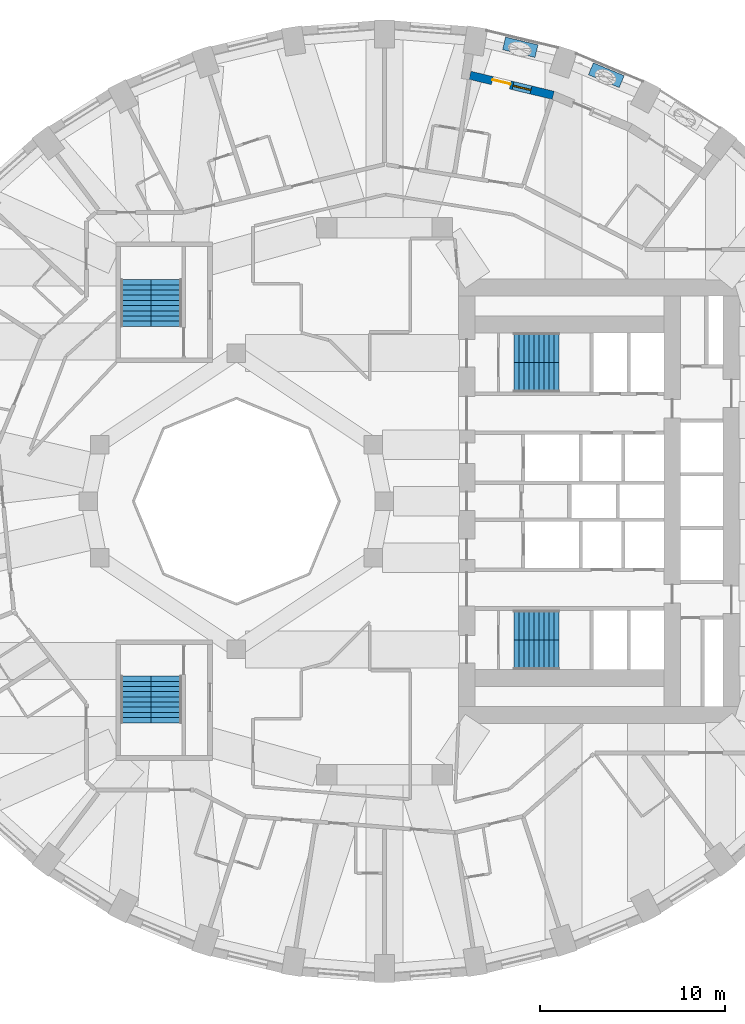
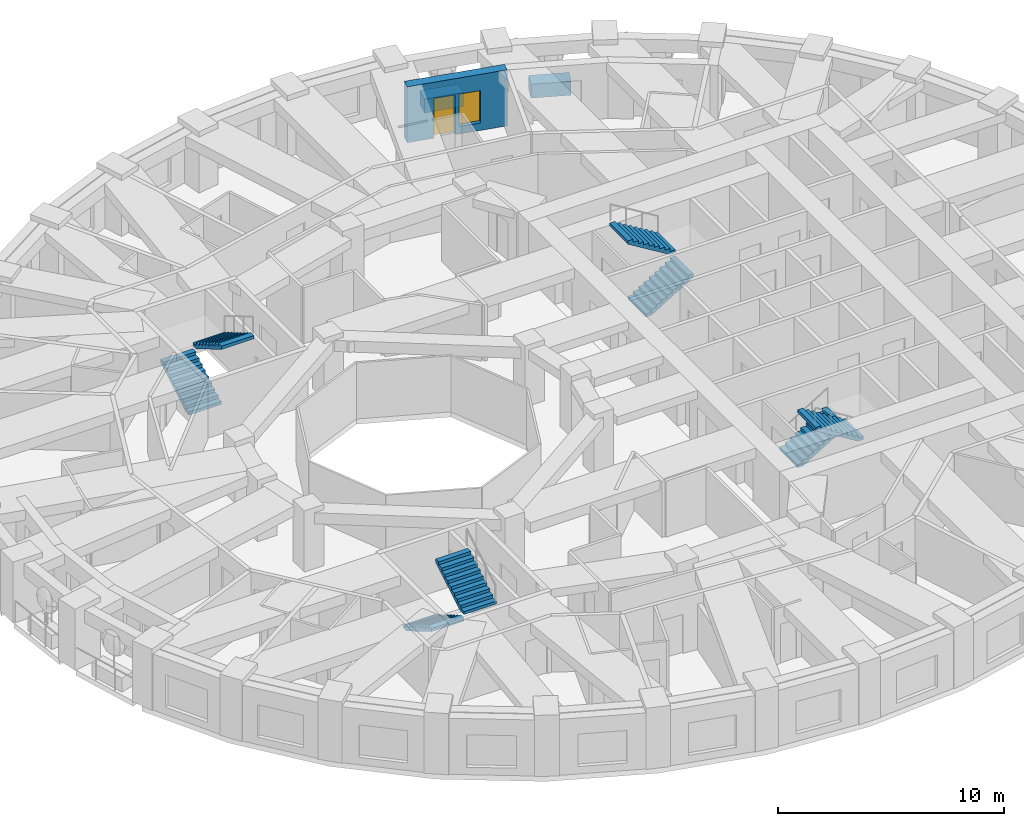
# One storey, part 10 of 13: 8 stair flights, 3 walls, 1 door, 1 window, 2 openings, 4 elements without a shape of their own.
"""IFC4 building model written with IfcOpenShell, lengths in metres."""

from ifc_helpers import new_model, si_unit, direction, frame, frame_2d, origin, place, context, subcontext, project, spatial, polyline, rectangle, outline, extrude, material, layer, layer_set, constituent, constituent_set, type_object, element, fill, aggregate, save


model = new_model("IFC4")

# Units and contexts
model_context = context("Model", 3, precision=1e-05, world=origin(), true_north=direction((0.0, 1.0)))
body_context = subcontext(model_context, "Body", "Model", "MODEL_VIEW")
ifc_project = project(units=[si_unit("LENGTHUNIT", "METRE"), si_unit("AREAUNIT", "SQUARE_METRE"), si_unit("VOLUMEUNIT", "CUBIC_METRE"), si_unit("PLANEANGLEUNIT", "RADIAN"), si_unit("MASSUNIT", "GRAM", prefix="KILO")], contexts=[model_context])

# Site, building, storey
site_placement = place(None, origin())
site = spatial("IfcSite", under=ifc_project, at=site_placement, CompositionType="ELEMENT")
building_placement = place(site_placement, origin())
building = spatial("IfcBuilding", under=site, at=building_placement, Name="Taillehof Tower", CompositionType="ELEMENT")
storey_placement = place(building_placement, frame((0.0, 0.0, 61.300048828125)))
storey = spatial("IfcBuildingStorey", under=building, at=storey_placement, Name="L16", CompositionType="ELEMENT", Elevation=61.300048828125)

# Wall, openings, door, window
ifc_material_1 = material(Name="Brick masonry", Category="masonry")
ifc_layer = layer(ifc_material_1, 0.449951171875)
ifc_layer_set = layer_set([ifc_layer], Name="Brick infill wall 450")
wall_type_1 = type_object("IfcWallType", Name="Brick infill wall 450", PredefinedType="SOLIDWALL", material=ifc_layer_set)
wall_placement = place(storey_placement, frame((9.12158203125, 21.931640625, 0.0), z_axis=(0.0, 0.0, 1.0), x_axis=(-0.972346547441, 0.233542697764, 0.0)))
wall = element("IfcWall", 1, at=wall_placement, inside=storey, type_object=wall_type_1, Name="Brick wall L16 pocket bay 8", PredefinedType="SOLIDWALL", context=body_context, shape_type="SweptSolid", body=[
    extrude(rectangle(XDim=4.623779296875, YDim=0.449951171875, at=frame_2d((2.31201171875, 0.0))), origin(), (0.0, 0.0, 1.0), 3.02001953125),
])
opening_1_placement = place(wall_placement, frame((1.23681640625, 0.0, 0.39990234375)))
opening_1 = element("IfcOpeningElement", 2, at=opening_1_placement, cuts=wall, Name="Opening W5", PredefinedType="OPENING", context=body_context, shape_type="SweptSolid", body=[
    extrude(rectangle(XDim=1.0, YDim=1.75, at=frame_2d((0.5, 0.875))), frame((0.0, 0.23486328125, 0.0), z_axis=(0.0, -1.0, 0.0), x_axis=(1.0, 0.0, 0.0)), (0.0, 0.0, 1.0), 0.469970703125),
])
opening_2_placement = place(wall_placement, frame((2.38671875, 0.0, 0.0)))
opening_2 = element("IfcOpeningElement", 3, at=opening_2_placement, cuts=wall, Name="Opening D1696", PredefinedType="OPENING", context=body_context, shape_type="SweptSolid", body=[
    extrude(rectangle(XDim=1.0, YDim=2.14990234375, at=frame_2d((0.5, 1.074951171875))), frame((0.0, 0.23486328125, 0.0), z_axis=(0.0, -1.0, 0.0), x_axis=(1.0, 0.0, 0.0)), (0.0, 0.0, 1.0), 0.469970703125),
])
ifc_material_2 = material(Name="Aluminium door frame with clear double glazing", Category="aluminium")
door_type = type_object("IfcDoorType", Name="Balcony door 1000x2150", OperationType="SINGLE_SWING_RIGHT", PredefinedType="DOOR", material=ifc_material_2)
door_placement = place(opening_2_placement, frame((1.0, 0.0, 0.0), z_axis=(0.0, 0.0, 1.0), x_axis=(-1.0, 0.0, 0.0)))
door = element("IfcDoor", 4, at=door_placement, inside=storey, type_object=door_type, Name="Balcony door L16 bay 8", OperationType="SINGLE_SWING_LEFT", OverallHeight=2.14990234375, OverallWidth=1.0, PredefinedType="DOOR", context=body_context, shape_type="SweptSolid", body=[
    extrude(rectangle(XDim=1.0, YDim=2.14990234375, at=frame_2d((0.5, 1.074951171875))), frame((0.0, 0.0751953125, 0.0), z_axis=(0.0, -1.0, 0.0), x_axis=(1.0, 0.0, 0.0)), (0.0, 0.0, 1.0), 0.050048828125),
])
fill(opening_2, door)
ifc_material_3 = material(Name="Aluminium window frame with clear double glazing", Category="aluminium")
window_type = type_object("IfcWindowType", Name="Fixed window 1000x1750", PartitioningType="SINGLE_PANEL", PredefinedType="WINDOW", material=ifc_material_3)
window_placement = place(opening_1_placement, origin())
window = element("IfcWindow", 5, at=window_placement, inside=storey, type_object=window_type, Name="W5", OverallHeight=1.75, OverallWidth=1.0, PartitioningType="SINGLE_PANEL", PredefinedType="WINDOW", context=body_context, shape_type="SweptSolid", body=[
    extrude(rectangle(XDim=1.0, YDim=1.75, at=frame_2d((0.5, 0.875))), frame((0.0, 0.034912109375, 0.0), z_axis=(0.0, -1.0, 0.0), x_axis=(1.0, 0.0, 0.0)), (0.0, 0.0, 1.0), 0.06005859375),
])
fill(opening_1, window)

# Walls
ifc_material_4 = material(Name="Concrete C30/37 precast", Category="concrete")
ifc_constituent_1 = constituent(ifc_material_4, Name="Structure", Category="concrete")
ifc_material_5 = material(Name="Insulated lining")
ifc_constituent_2 = constituent(ifc_material_5, Name="Lining")
ifc_constituent_set = constituent_set(constituents=[ifc_constituent_1, ifc_constituent_2], Name="Planter trough 700x750")
wall_type_2 = type_object("IfcWallType", Name="Planter trough 700x750", PredefinedType="USERDEFINED", material=ifc_constituent_set)
for number, where, z_axis, x_axis, name in (
    (6, (12.816650390625, 22.669677734375, 0.0), (0.0, 0.0, 1.0), (-0.923000660042, 0.384798364811, 0.0), "Planter L16 bay 7"),
    (7, (8.215087890625, 24.318115234375, 0.0), (0.0, 0.0, 1.0), (-0.972504142103, 0.232885580473, 0.0), "Planter L16 bay 8"),
):
    element("IfcWall", number, at=place(storey_placement, frame(where, z_axis=z_axis, x_axis=x_axis)), inside=storey, type_object=wall_type_2, Name=name, ObjectType="PLANTER", PredefinedType="USERDEFINED", context=body_context, shape_type="SweptSolid", body=[
        extrude(rectangle(XDim=1.800048828125, YDim=0.699951171875, at=frame_2d((0.89990234375, 0.0))), origin(), (0.0, 0.0, 1.0), 0.75),
    ])

# Stair, stair flights
ifc_material_6 = material(Name="Concrete C40/50", Category="concrete")
stair_type = type_object("IfcStairType", Name="Exit stair half-turn", PredefinedType="HALF_TURN_STAIR", material=ifc_material_6)
stair_1_placement = place(storey_placement, origin())
stair_1 = element("IfcStair", 8, at=stair_1_placement, inside=storey, type_object=stair_type, Name="Exit stair S1", PredefinedType="HALF_TURN_STAIR")
ifc_material_7 = material(Name="Concrete C40/50", Category="concrete")
stair_flight_type_1 = type_object("IfcStairFlightType", Name="Stair flight 1600 riser 165.0 going 270", PredefinedType="STRAIGHT", material=ifc_material_7)
stair_flight_1_placement = place(storey_placement, frame((7.0, 6.699951171875, 0.0), z_axis=(0.0, 0.0, 1.0), x_axis=(1.0, 0.0, 0.0)))
stair_flight_1 = element("IfcStairFlight", 9, at=stair_flight_1_placement, type_object=stair_flight_type_1, Name="S1 flight 1", NumberOfRisers=10, NumberOfTreads=9, PredefinedType="STRAIGHT", RiserHeight=0.165, TreadLength=0.27, context=body_context, shape_type="SweptSolid", body=[
    extrude(outline(polyline([(0.0, 0.0), (0.0, 0.00537109375), (0.0, 0.0107421875), (0.0, 0.015869140625), (0.0, 0.021240234375), (0.0, 0.026611328125), (0.0, 0.031982421875), (0.0, 0.037353515625), (0.0, 0.04248046875), (0.0, 0.0478515625), (0.0, 0.05322265625), (0.0, 0.05859375), (0.0, 0.06396484375), (0.0, 0.069091796875), (0.0, 0.074462890625), (0.0, 0.079833984375), (0.0, 0.085205078125), (0.0, 0.090576171875), (0.0, 0.095703125), (0.0, 0.10107421875), (0.0, 0.1064453125), (0.0, 0.11181640625), (0.0, 0.1171875), (0.0, 0.122314453125), (0.0, 0.127685546875), (0.0, 0.133056640625), (0.0, 0.138427734375), (0.0, 0.143798828125), (0.0, 0.14892578125), (0.0, 0.154296875), (0.0, 0.15966796875), (0.0, 0.1650390625), (0.27001953125, 0.1650390625), (0.27001953125, 0.330078125), (0.5400390625, 0.330078125), (0.5400390625, 0.4951171875), (0.81005859375, 0.4951171875), (0.81005859375, 0.659912109375), (1.080078125, 0.659912109375), (1.080078125, 0.824951171875), (1.35009765625, 0.824951171875), (1.35009765625, 0.989990234375), (1.6201171875, 0.989990234375), (1.6201171875, 1.155029296875), (1.889892578125, 1.155029296875), (1.889892578125, 1.320068359375), (2.159912109375, 1.320068359375), (2.159912109375, 1.485107421875), (2.429931640625, 1.485107421875), (2.429931640625, 1.479248046875), (2.429931640625, 1.4736328125), (2.429931640625, 1.468017578125), (2.429931640625, 1.46240234375), (2.429931640625, 1.45654296875), (2.429931640625, 1.450927734375), (2.429931640625, 1.4453125), (2.429931640625, 1.439697265625), (2.429931640625, 1.43408203125), (2.429931640625, 1.42822265625), (2.429931640625, 1.422607421875), (2.429931640625, 1.4169921875), (2.429931640625, 1.411376953125), (2.429931640625, 1.40576171875), (2.429931640625, 1.39990234375), (2.429931640625, 1.394287109375), (2.429931640625, 1.388671875), (2.429931640625, 1.383056640625), (2.429931640625, 1.37744140625), (2.429931640625, 1.37158203125), (2.429931640625, 1.365966796875), (2.429931640625, 1.3603515625), (2.429931640625, 1.354736328125), (2.429931640625, 1.348876953125), (2.429931640625, 1.34326171875), (2.429931640625, 1.337646484375), (2.429931640625, 1.33203125), (2.429931640625, 1.326416015625), (2.429931640625, 1.320556640625), (2.429931640625, 1.31494140625), (2.429931640625, 1.309326171875), (0.287353515625, 0.0), (0.0, 0.0)])), frame((0.0, 0.800048828125, 0.0), z_axis=(0.0, -1.0, 0.0), x_axis=(1.0, 0.0, 0.0)), (0.0, 0.0, 1.0), 1.6),
])
stair_flight_2_placement = place(storey_placement, frame((9.429931640625, 8.300048828125, 1.64990234375), z_axis=(0.0, 0.0, 1.0), x_axis=(-1.0, 0.0, 0.0)))
stair_flight_2 = element("IfcStairFlight", 10, at=stair_flight_2_placement, type_object=stair_flight_type_1, Name="S1 flight 2", NumberOfRisers=10, NumberOfTreads=9, PredefinedType="STRAIGHT", RiserHeight=0.165, TreadLength=0.27, context=body_context, shape_type="SweptSolid", body=[
    extrude(outline(polyline([(0.0, 0.0), (0.0, 0.00537109375), (0.0, 0.0107421875), (0.0, 0.015869140625), (0.0, 0.021240234375), (0.0, 0.026611328125), (0.0, 0.031982421875), (0.0, 0.037353515625), (0.0, 0.04248046875), (0.0, 0.0478515625), (0.0, 0.05322265625), (0.0, 0.05859375), (0.0, 0.06396484375), (0.0, 0.069091796875), (0.0, 0.074462890625), (0.0, 0.079833984375), (0.0, 0.085205078125), (0.0, 0.090576171875), (0.0, 0.095703125), (0.0, 0.10107421875), (0.0, 0.1064453125), (0.0, 0.11181640625), (0.0, 0.1171875), (0.0, 0.122314453125), (0.0, 0.127685546875), (0.0, 0.133056640625), (0.0, 0.138427734375), (0.0, 0.143798828125), (0.0, 0.14892578125), (0.0, 0.154296875), (0.0, 0.15966796875), (0.0, 0.1650390625), (0.27001953125, 0.1650390625), (0.27001953125, 0.330078125), (0.5400390625, 0.330078125), (0.5400390625, 0.4951171875), (0.81005859375, 0.4951171875), (0.81005859375, 0.659912109375), (1.080078125, 0.659912109375), (1.080078125, 0.824951171875), (1.35009765625, 0.824951171875), (1.35009765625, 0.989990234375), (1.6201171875, 0.989990234375), (1.6201171875, 1.155029296875), (1.889892578125, 1.155029296875), (1.889892578125, 1.320068359375), (2.159912109375, 1.320068359375), (2.159912109375, 1.485107421875), (2.429931640625, 1.485107421875), (2.429931640625, 1.479248046875), (2.429931640625, 1.4736328125), (2.429931640625, 1.468017578125), (2.429931640625, 1.46240234375), (2.429931640625, 1.45654296875), (2.429931640625, 1.450927734375), (2.429931640625, 1.4453125), (2.429931640625, 1.439697265625), (2.429931640625, 1.43408203125), (2.429931640625, 1.42822265625), (2.429931640625, 1.422607421875), (2.429931640625, 1.4169921875), (2.429931640625, 1.411376953125), (2.429931640625, 1.40576171875), (2.429931640625, 1.39990234375), (2.429931640625, 1.394287109375), (2.429931640625, 1.388671875), (2.429931640625, 1.383056640625), (2.429931640625, 1.37744140625), (2.429931640625, 1.37158203125), (2.429931640625, 1.365966796875), (2.429931640625, 1.3603515625), (2.429931640625, 1.354736328125), (2.429931640625, 1.348876953125), (2.429931640625, 1.34326171875), (2.429931640625, 1.337646484375), (2.429931640625, 1.33203125), (2.429931640625, 1.326416015625), (2.429931640625, 1.320556640625), (2.429931640625, 1.31494140625), (2.429931640625, 1.309326171875), (0.287353515625, 0.0), (0.0, 0.0)])), frame((0.0, 0.800048828125, 0.0), z_axis=(0.0, -1.0, 0.0), x_axis=(1.0, 0.0, 0.0)), (0.0, 0.0, 1.0), 1.6),
])
aggregate(stair_1, [stair_flight_1, stair_flight_2])

stair_2_placement = place(storey_placement, origin())
stair_2 = element("IfcStair", 11, at=stair_2_placement, inside=storey, type_object=stair_type, Name="Exit stair S2", PredefinedType="HALF_TURN_STAIR")
stair_flight_3_placement = place(storey_placement, frame((7.0, -6.699951171875, 0.0), z_axis=(0.0, 0.0, 1.0), x_axis=(1.0, 0.0, 0.0)))
stair_flight_3 = element("IfcStairFlight", 12, at=stair_flight_3_placement, type_object=stair_flight_type_1, Name="S2 flight 1", NumberOfRisers=10, NumberOfTreads=9, PredefinedType="STRAIGHT", RiserHeight=0.165, TreadLength=0.27, context=body_context, shape_type="SweptSolid", body=[
    extrude(outline(polyline([(0.0, 0.0), (0.0, 0.00537109375), (0.0, 0.0107421875), (0.0, 0.015869140625), (0.0, 0.021240234375), (0.0, 0.026611328125), (0.0, 0.031982421875), (0.0, 0.037353515625), (0.0, 0.04248046875), (0.0, 0.0478515625), (0.0, 0.05322265625), (0.0, 0.05859375), (0.0, 0.06396484375), (0.0, 0.069091796875), (0.0, 0.074462890625), (0.0, 0.079833984375), (0.0, 0.085205078125), (0.0, 0.090576171875), (0.0, 0.095703125), (0.0, 0.10107421875), (0.0, 0.1064453125), (0.0, 0.11181640625), (0.0, 0.1171875), (0.0, 0.122314453125), (0.0, 0.127685546875), (0.0, 0.133056640625), (0.0, 0.138427734375), (0.0, 0.143798828125), (0.0, 0.14892578125), (0.0, 0.154296875), (0.0, 0.15966796875), (0.0, 0.1650390625), (0.27001953125, 0.1650390625), (0.27001953125, 0.330078125), (0.5400390625, 0.330078125), (0.5400390625, 0.4951171875), (0.81005859375, 0.4951171875), (0.81005859375, 0.659912109375), (1.080078125, 0.659912109375), (1.080078125, 0.824951171875), (1.35009765625, 0.824951171875), (1.35009765625, 0.989990234375), (1.6201171875, 0.989990234375), (1.6201171875, 1.155029296875), (1.889892578125, 1.155029296875), (1.889892578125, 1.320068359375), (2.159912109375, 1.320068359375), (2.159912109375, 1.485107421875), (2.429931640625, 1.485107421875), (2.429931640625, 1.479248046875), (2.429931640625, 1.4736328125), (2.429931640625, 1.468017578125), (2.429931640625, 1.46240234375), (2.429931640625, 1.45654296875), (2.429931640625, 1.450927734375), (2.429931640625, 1.4453125), (2.429931640625, 1.439697265625), (2.429931640625, 1.43408203125), (2.429931640625, 1.42822265625), (2.429931640625, 1.422607421875), (2.429931640625, 1.4169921875), (2.429931640625, 1.411376953125), (2.429931640625, 1.40576171875), (2.429931640625, 1.39990234375), (2.429931640625, 1.394287109375), (2.429931640625, 1.388671875), (2.429931640625, 1.383056640625), (2.429931640625, 1.37744140625), (2.429931640625, 1.37158203125), (2.429931640625, 1.365966796875), (2.429931640625, 1.3603515625), (2.429931640625, 1.354736328125), (2.429931640625, 1.348876953125), (2.429931640625, 1.34326171875), (2.429931640625, 1.337646484375), (2.429931640625, 1.33203125), (2.429931640625, 1.326416015625), (2.429931640625, 1.320556640625), (2.429931640625, 1.31494140625), (2.429931640625, 1.309326171875), (0.287353515625, 0.0), (0.0, 0.0)])), frame((0.0, 0.800048828125, 0.0), z_axis=(0.0, -1.0, 0.0), x_axis=(1.0, 0.0, 0.0)), (0.0, 0.0, 1.0), 1.6),
])
stair_flight_4_placement = place(storey_placement, frame((9.429931640625, -8.300048828125, 1.64990234375), z_axis=(0.0, 0.0, 1.0), x_axis=(-1.0, 0.0, 0.0)))
stair_flight_4 = element("IfcStairFlight", 13, at=stair_flight_4_placement, type_object=stair_flight_type_1, Name="S2 flight 2", NumberOfRisers=10, NumberOfTreads=9, PredefinedType="STRAIGHT", RiserHeight=0.165, TreadLength=0.27, context=body_context, shape_type="SweptSolid", body=[
    extrude(outline(polyline([(0.0, 0.0), (0.0, 0.00537109375), (0.0, 0.0107421875), (0.0, 0.015869140625), (0.0, 0.021240234375), (0.0, 0.026611328125), (0.0, 0.031982421875), (0.0, 0.037353515625), (0.0, 0.04248046875), (0.0, 0.0478515625), (0.0, 0.05322265625), (0.0, 0.05859375), (0.0, 0.06396484375), (0.0, 0.069091796875), (0.0, 0.074462890625), (0.0, 0.079833984375), (0.0, 0.085205078125), (0.0, 0.090576171875), (0.0, 0.095703125), (0.0, 0.10107421875), (0.0, 0.1064453125), (0.0, 0.11181640625), (0.0, 0.1171875), (0.0, 0.122314453125), (0.0, 0.127685546875), (0.0, 0.133056640625), (0.0, 0.138427734375), (0.0, 0.143798828125), (0.0, 0.14892578125), (0.0, 0.154296875), (0.0, 0.15966796875), (0.0, 0.1650390625), (0.27001953125, 0.1650390625), (0.27001953125, 0.330078125), (0.5400390625, 0.330078125), (0.5400390625, 0.4951171875), (0.81005859375, 0.4951171875), (0.81005859375, 0.659912109375), (1.080078125, 0.659912109375), (1.080078125, 0.824951171875), (1.35009765625, 0.824951171875), (1.35009765625, 0.989990234375), (1.6201171875, 0.989990234375), (1.6201171875, 1.155029296875), (1.889892578125, 1.155029296875), (1.889892578125, 1.320068359375), (2.159912109375, 1.320068359375), (2.159912109375, 1.485107421875), (2.429931640625, 1.485107421875), (2.429931640625, 1.479248046875), (2.429931640625, 1.4736328125), (2.429931640625, 1.468017578125), (2.429931640625, 1.46240234375), (2.429931640625, 1.45654296875), (2.429931640625, 1.450927734375), (2.429931640625, 1.4453125), (2.429931640625, 1.439697265625), (2.429931640625, 1.43408203125), (2.429931640625, 1.42822265625), (2.429931640625, 1.422607421875), (2.429931640625, 1.4169921875), (2.429931640625, 1.411376953125), (2.429931640625, 1.40576171875), (2.429931640625, 1.39990234375), (2.429931640625, 1.394287109375), (2.429931640625, 1.388671875), (2.429931640625, 1.383056640625), (2.429931640625, 1.37744140625), (2.429931640625, 1.37158203125), (2.429931640625, 1.365966796875), (2.429931640625, 1.3603515625), (2.429931640625, 1.354736328125), (2.429931640625, 1.348876953125), (2.429931640625, 1.34326171875), (2.429931640625, 1.337646484375), (2.429931640625, 1.33203125), (2.429931640625, 1.326416015625), (2.429931640625, 1.320556640625), (2.429931640625, 1.31494140625), (2.429931640625, 1.309326171875), (0.287353515625, 0.0), (0.0, 0.0)])), frame((0.0, 0.800048828125, 0.0), z_axis=(0.0, -1.0, 0.0), x_axis=(1.0, 0.0, 0.0)), (0.0, 0.0, 1.0), 1.6),
])
aggregate(stair_2, [stair_flight_3, stair_flight_4])

stair_3_placement = place(storey_placement, origin())
stair_3 = element("IfcStair", 14, at=stair_3_placement, inside=storey, type_object=stair_type, Name="Exit stair S3", PredefinedType="HALF_TURN_STAIR")
ifc_material_8 = material(Name="Concrete C40/50", Category="concrete")
stair_flight_type_2 = type_object("IfcStairFlightType", Name="Stair flight 1650 riser 165.0 going 280", PredefinedType="STRAIGHT", material=ifc_material_8)
stair_flight_5_placement = place(storey_placement, frame((-13.425048828125, 9.449951171875, 0.0), z_axis=(0.0, 0.0, 1.0), x_axis=(0.0, 1.0, 0.0)))
stair_flight_5 = element("IfcStairFlight", 15, at=stair_flight_5_placement, type_object=stair_flight_type_2, Name="S3 flight 1", NumberOfRisers=10, NumberOfTreads=9, PredefinedType="STRAIGHT", RiserHeight=0.165, TreadLength=0.28, context=body_context, shape_type="SweptSolid", body=[
    extrude(outline(polyline([(0.0, 0.0), (0.0, 0.00537109375), (0.0, 0.0107421875), (0.0, 0.015869140625), (0.0, 0.021240234375), (0.0, 0.026611328125), (0.0, 0.031982421875), (0.0, 0.037353515625), (0.0, 0.04248046875), (0.0, 0.0478515625), (0.0, 0.05322265625), (0.0, 0.05859375), (0.0, 0.06396484375), (0.0, 0.069091796875), (0.0, 0.074462890625), (0.0, 0.079833984375), (0.0, 0.085205078125), (0.0, 0.090576171875), (0.0, 0.095703125), (0.0, 0.10107421875), (0.0, 0.1064453125), (0.0, 0.11181640625), (0.0, 0.1171875), (0.0, 0.122314453125), (0.0, 0.127685546875), (0.0, 0.133056640625), (0.0, 0.138427734375), (0.0, 0.143798828125), (0.0, 0.14892578125), (0.0, 0.154296875), (0.0, 0.15966796875), (0.0, 0.1650390625), (0.280029296875, 0.1650390625), (0.280029296875, 0.330078125), (0.56005859375, 0.330078125), (0.56005859375, 0.4951171875), (0.840087890625, 0.4951171875), (0.840087890625, 0.659912109375), (1.1201171875, 0.659912109375), (1.1201171875, 0.824951171875), (1.39990234375, 0.824951171875), (1.39990234375, 0.989990234375), (1.679931640625, 0.989990234375), (1.679931640625, 1.155029296875), (1.9599609375, 1.155029296875), (1.9599609375, 1.320068359375), (2.239990234375, 1.320068359375), (2.239990234375, 1.485107421875), (2.52001953125, 1.485107421875), (2.52001953125, 1.4794921875), (2.52001953125, 1.473876953125), (2.52001953125, 1.46826171875), (2.52001953125, 1.462646484375), (2.52001953125, 1.45703125), (2.52001953125, 1.451416015625), (2.52001953125, 1.44580078125), (2.52001953125, 1.440185546875), (2.52001953125, 1.4345703125), (2.52001953125, 1.428955078125), (2.52001953125, 1.42333984375), (2.52001953125, 1.417724609375), (2.52001953125, 1.412109375), (2.52001953125, 1.406494140625), (2.52001953125, 1.40087890625), (2.52001953125, 1.395263671875), (2.52001953125, 1.3896484375), (2.52001953125, 1.384033203125), (2.52001953125, 1.37841796875), (2.52001953125, 1.372802734375), (2.52001953125, 1.3671875), (2.52001953125, 1.361572265625), (2.52001953125, 1.35595703125), (2.52001953125, 1.350341796875), (2.52001953125, 1.3447265625), (2.52001953125, 1.339111328125), (2.52001953125, 1.33349609375), (2.52001953125, 1.327880859375), (2.52001953125, 1.322265625), (2.52001953125, 1.316650390625), (2.52001953125, 1.31103515625), (0.295166015625, 0.0), (0.0, 0.0)])), frame((0.0, 0.824951171875, 0.0), z_axis=(0.0, -1.0, 0.0), x_axis=(1.0, 0.0, 0.0)), (0.0, 0.0, 1.0), 1.65),
])
stair_flight_6_placement = place(storey_placement, frame((-11.77490234375, 11.969970703125, 1.64990234375), z_axis=(0.0, 0.0, 1.0), x_axis=(0.0, -1.0, 0.0)))
stair_flight_6 = element("IfcStairFlight", 16, at=stair_flight_6_placement, type_object=stair_flight_type_2, Name="S3 flight 2", NumberOfRisers=10, NumberOfTreads=9, PredefinedType="STRAIGHT", RiserHeight=0.165, TreadLength=0.28, context=body_context, shape_type="SweptSolid", body=[
    extrude(outline(polyline([(0.0, 0.0), (0.0, 0.00537109375), (0.0, 0.0107421875), (0.0, 0.015869140625), (0.0, 0.021240234375), (0.0, 0.026611328125), (0.0, 0.031982421875), (0.0, 0.037353515625), (0.0, 0.04248046875), (0.0, 0.0478515625), (0.0, 0.05322265625), (0.0, 0.05859375), (0.0, 0.06396484375), (0.0, 0.069091796875), (0.0, 0.074462890625), (0.0, 0.079833984375), (0.0, 0.085205078125), (0.0, 0.090576171875), (0.0, 0.095703125), (0.0, 0.10107421875), (0.0, 0.1064453125), (0.0, 0.11181640625), (0.0, 0.1171875), (0.0, 0.122314453125), (0.0, 0.127685546875), (0.0, 0.133056640625), (0.0, 0.138427734375), (0.0, 0.143798828125), (0.0, 0.14892578125), (0.0, 0.154296875), (0.0, 0.15966796875), (0.0, 0.1650390625), (0.280029296875, 0.1650390625), (0.280029296875, 0.330078125), (0.56005859375, 0.330078125), (0.56005859375, 0.4951171875), (0.840087890625, 0.4951171875), (0.840087890625, 0.659912109375), (1.1201171875, 0.659912109375), (1.1201171875, 0.824951171875), (1.39990234375, 0.824951171875), (1.39990234375, 0.989990234375), (1.679931640625, 0.989990234375), (1.679931640625, 1.155029296875), (1.9599609375, 1.155029296875), (1.9599609375, 1.320068359375), (2.239990234375, 1.320068359375), (2.239990234375, 1.485107421875), (2.52001953125, 1.485107421875), (2.52001953125, 1.4794921875), (2.52001953125, 1.473876953125), (2.52001953125, 1.46826171875), (2.52001953125, 1.462646484375), (2.52001953125, 1.45703125), (2.52001953125, 1.451416015625), (2.52001953125, 1.44580078125), (2.52001953125, 1.440185546875), (2.52001953125, 1.4345703125), (2.52001953125, 1.428955078125), (2.52001953125, 1.42333984375), (2.52001953125, 1.417724609375), (2.52001953125, 1.412109375), (2.52001953125, 1.406494140625), (2.52001953125, 1.40087890625), (2.52001953125, 1.395263671875), (2.52001953125, 1.3896484375), (2.52001953125, 1.384033203125), (2.52001953125, 1.37841796875), (2.52001953125, 1.372802734375), (2.52001953125, 1.3671875), (2.52001953125, 1.361572265625), (2.52001953125, 1.35595703125), (2.52001953125, 1.350341796875), (2.52001953125, 1.3447265625), (2.52001953125, 1.339111328125), (2.52001953125, 1.33349609375), (2.52001953125, 1.327880859375), (2.52001953125, 1.322265625), (2.52001953125, 1.316650390625), (2.52001953125, 1.31103515625), (0.295166015625, 0.0), (0.0, 0.0)])), frame((0.0, 0.824951171875, 0.0), z_axis=(0.0, -1.0, 0.0), x_axis=(1.0, 0.0, 0.0)), (0.0, 0.0, 1.0), 1.65),
])
aggregate(stair_3, [stair_flight_5, stair_flight_6])

stair_4_placement = place(storey_placement, origin())
stair_4 = element("IfcStair", 17, at=stair_4_placement, inside=storey, type_object=stair_type, Name="Exit stair S4", PredefinedType="HALF_TURN_STAIR")
stair_flight_7_placement = place(storey_placement, frame((-13.425048828125, -9.449951171875, 0.0), z_axis=(0.0, 0.0, 1.0), x_axis=(0.0, -1.0, 0.0)))
stair_flight_7 = element("IfcStairFlight", 18, at=stair_flight_7_placement, type_object=stair_flight_type_2, Name="S4 flight 1", NumberOfRisers=10, NumberOfTreads=9, PredefinedType="STRAIGHT", RiserHeight=0.165, TreadLength=0.28, context=body_context, shape_type="SweptSolid", body=[
    extrude(outline(polyline([(0.0, 0.0), (0.0, 0.00537109375), (0.0, 0.0107421875), (0.0, 0.015869140625), (0.0, 0.021240234375), (0.0, 0.026611328125), (0.0, 0.031982421875), (0.0, 0.037353515625), (0.0, 0.04248046875), (0.0, 0.0478515625), (0.0, 0.05322265625), (0.0, 0.05859375), (0.0, 0.06396484375), (0.0, 0.069091796875), (0.0, 0.074462890625), (0.0, 0.079833984375), (0.0, 0.085205078125), (0.0, 0.090576171875), (0.0, 0.095703125), (0.0, 0.10107421875), (0.0, 0.1064453125), (0.0, 0.11181640625), (0.0, 0.1171875), (0.0, 0.122314453125), (0.0, 0.127685546875), (0.0, 0.133056640625), (0.0, 0.138427734375), (0.0, 0.143798828125), (0.0, 0.14892578125), (0.0, 0.154296875), (0.0, 0.15966796875), (0.0, 0.1650390625), (0.280029296875, 0.1650390625), (0.280029296875, 0.330078125), (0.56005859375, 0.330078125), (0.56005859375, 0.4951171875), (0.840087890625, 0.4951171875), (0.840087890625, 0.659912109375), (1.1201171875, 0.659912109375), (1.1201171875, 0.824951171875), (1.39990234375, 0.824951171875), (1.39990234375, 0.989990234375), (1.679931640625, 0.989990234375), (1.679931640625, 1.155029296875), (1.9599609375, 1.155029296875), (1.9599609375, 1.320068359375), (2.239990234375, 1.320068359375), (2.239990234375, 1.485107421875), (2.52001953125, 1.485107421875), (2.52001953125, 1.4794921875), (2.52001953125, 1.473876953125), (2.52001953125, 1.46826171875), (2.52001953125, 1.462646484375), (2.52001953125, 1.45703125), (2.52001953125, 1.451416015625), (2.52001953125, 1.44580078125), (2.52001953125, 1.440185546875), (2.52001953125, 1.4345703125), (2.52001953125, 1.428955078125), (2.52001953125, 1.42333984375), (2.52001953125, 1.417724609375), (2.52001953125, 1.412109375), (2.52001953125, 1.406494140625), (2.52001953125, 1.40087890625), (2.52001953125, 1.395263671875), (2.52001953125, 1.3896484375), (2.52001953125, 1.384033203125), (2.52001953125, 1.37841796875), (2.52001953125, 1.372802734375), (2.52001953125, 1.3671875), (2.52001953125, 1.361572265625), (2.52001953125, 1.35595703125), (2.52001953125, 1.350341796875), (2.52001953125, 1.3447265625), (2.52001953125, 1.339111328125), (2.52001953125, 1.33349609375), (2.52001953125, 1.327880859375), (2.52001953125, 1.322265625), (2.52001953125, 1.316650390625), (2.52001953125, 1.31103515625), (0.295166015625, 0.0), (0.0, 0.0)])), frame((0.0, 0.824951171875, 0.0), z_axis=(0.0, -1.0, 0.0), x_axis=(1.0, 0.0, 0.0)), (0.0, 0.0, 1.0), 1.65),
])
stair_flight_8_placement = place(storey_placement, frame((-11.77490234375, -11.969970703125, 1.64990234375), z_axis=(0.0, 0.0, 1.0), x_axis=(0.0, 1.0, 0.0)))
stair_flight_8 = element("IfcStairFlight", 19, at=stair_flight_8_placement, type_object=stair_flight_type_2, Name="S4 flight 2", NumberOfRisers=10, NumberOfTreads=9, PredefinedType="STRAIGHT", RiserHeight=0.165, TreadLength=0.28, context=body_context, shape_type="SweptSolid", body=[
    extrude(outline(polyline([(0.0, 0.0), (0.0, 0.00537109375), (0.0, 0.0107421875), (0.0, 0.015869140625), (0.0, 0.021240234375), (0.0, 0.026611328125), (0.0, 0.031982421875), (0.0, 0.037353515625), (0.0, 0.04248046875), (0.0, 0.0478515625), (0.0, 0.05322265625), (0.0, 0.05859375), (0.0, 0.06396484375), (0.0, 0.069091796875), (0.0, 0.074462890625), (0.0, 0.079833984375), (0.0, 0.085205078125), (0.0, 0.090576171875), (0.0, 0.095703125), (0.0, 0.10107421875), (0.0, 0.1064453125), (0.0, 0.11181640625), (0.0, 0.1171875), (0.0, 0.122314453125), (0.0, 0.127685546875), (0.0, 0.133056640625), (0.0, 0.138427734375), (0.0, 0.143798828125), (0.0, 0.14892578125), (0.0, 0.154296875), (0.0, 0.15966796875), (0.0, 0.1650390625), (0.280029296875, 0.1650390625), (0.280029296875, 0.330078125), (0.56005859375, 0.330078125), (0.56005859375, 0.4951171875), (0.840087890625, 0.4951171875), (0.840087890625, 0.659912109375), (1.1201171875, 0.659912109375), (1.1201171875, 0.824951171875), (1.39990234375, 0.824951171875), (1.39990234375, 0.989990234375), (1.679931640625, 0.989990234375), (1.679931640625, 1.155029296875), (1.9599609375, 1.155029296875), (1.9599609375, 1.320068359375), (2.239990234375, 1.320068359375), (2.239990234375, 1.485107421875), (2.52001953125, 1.485107421875), (2.52001953125, 1.4794921875), (2.52001953125, 1.473876953125), (2.52001953125, 1.46826171875), (2.52001953125, 1.462646484375), (2.52001953125, 1.45703125), (2.52001953125, 1.451416015625), (2.52001953125, 1.44580078125), (2.52001953125, 1.440185546875), (2.52001953125, 1.4345703125), (2.52001953125, 1.428955078125), (2.52001953125, 1.42333984375), (2.52001953125, 1.417724609375), (2.52001953125, 1.412109375), (2.52001953125, 1.406494140625), (2.52001953125, 1.40087890625), (2.52001953125, 1.395263671875), (2.52001953125, 1.3896484375), (2.52001953125, 1.384033203125), (2.52001953125, 1.37841796875), (2.52001953125, 1.372802734375), (2.52001953125, 1.3671875), (2.52001953125, 1.361572265625), (2.52001953125, 1.35595703125), (2.52001953125, 1.350341796875), (2.52001953125, 1.3447265625), (2.52001953125, 1.339111328125), (2.52001953125, 1.33349609375), (2.52001953125, 1.327880859375), (2.52001953125, 1.322265625), (2.52001953125, 1.316650390625), (2.52001953125, 1.31103515625), (0.295166015625, 0.0), (0.0, 0.0)])), frame((0.0, 0.824951171875, 0.0), z_axis=(0.0, -1.0, 0.0), x_axis=(1.0, 0.0, 0.0)), (0.0, 0.0, 1.0), 1.65),
])
aggregate(stair_4, [stair_flight_7, stair_flight_8])

save(model, "model.ifc")
